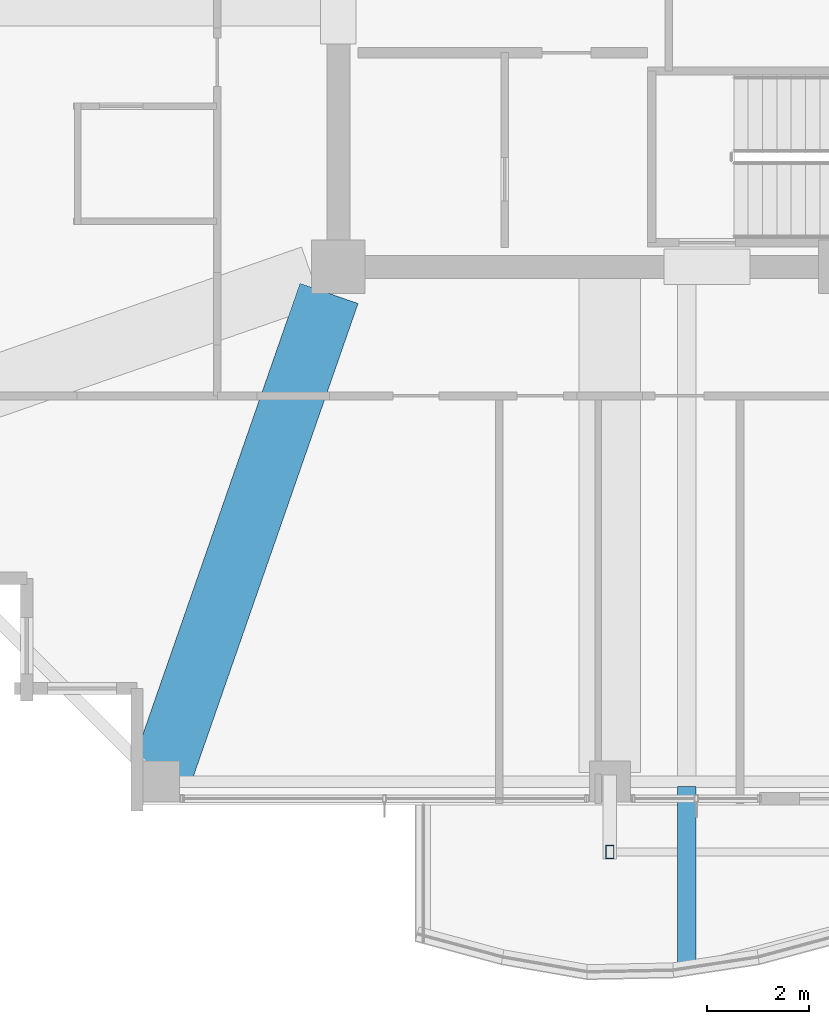
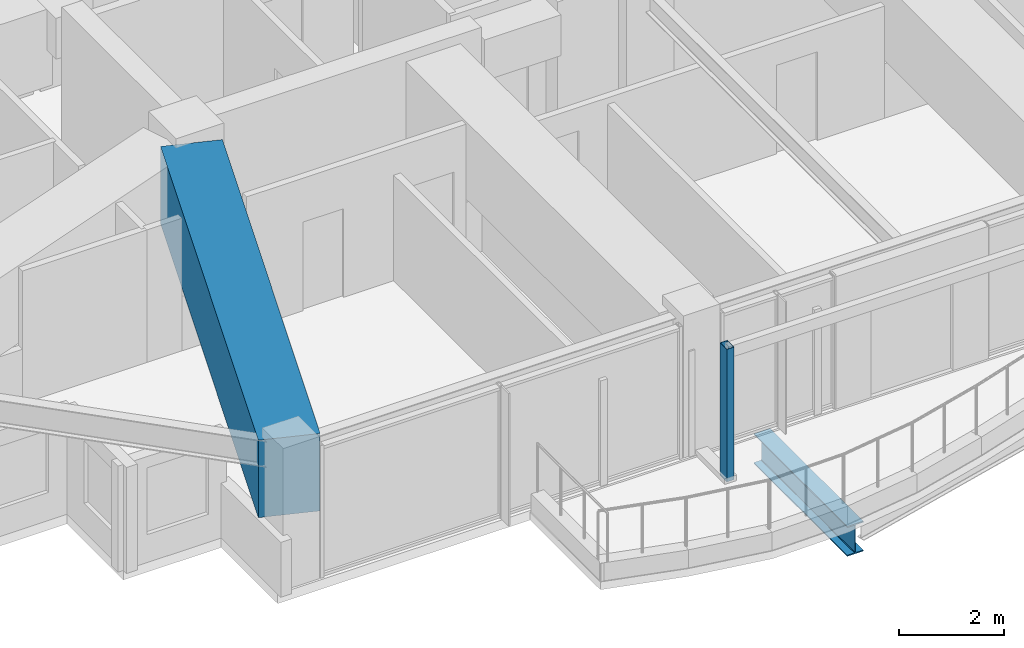
# One storey, part 4 of 37: 2 beams, 1 member.
"""IFC4 building model written with IfcOpenShell, lengths in metres."""

from ifc_helpers import new_model, si_unit, direction, frame, origin, origin_2d, place, context, subcontext, project, spatial, rectangle, hollow_rectangle, i_section, extrude, material, material_profile, profile_set, type_object, element, save


model = new_model("IFC4")

# Units and contexts
model_context = context("Model", 3, precision=1e-05, world=origin(), true_north=direction((0.0, 1.0)))
body_context = subcontext(model_context, "Body", "Model", "MODEL_VIEW")
ifc_project = project(units=[si_unit("LENGTHUNIT", "METRE"), si_unit("AREAUNIT", "SQUARE_METRE"), si_unit("VOLUMEUNIT", "CUBIC_METRE"), si_unit("PLANEANGLEUNIT", "RADIAN"), si_unit("MASSUNIT", "GRAM", prefix="KILO")], contexts=[model_context])

# Site, building, storey
site_placement = place(None, origin())
site = spatial("IfcSite", under=ifc_project, at=site_placement, CompositionType="ELEMENT")
building_placement = place(site_placement, origin())
building = spatial("IfcBuilding", under=site, at=building_placement, Name="Kolvaren Belvedere", CompositionType="ELEMENT")
storey_placement = place(building_placement, frame((0.0, 0.0, 219.60009765625)))
storey = spatial("IfcBuildingStorey", under=building, at=storey_placement, Name="L64", CompositionType="ELEMENT", Elevation=219.60009765625)

# Beams
ifc_material_1 = material(Name="Structural steel ASTM A992 Grade 50", Category="steel")
ifc_material_profile_1 = material_profile(ifc_material_1, i_section(OverallWidth=0.35498046875, OverallDepth=0.696044921875, WebThickness=0.015380859375, FlangeThickness=0.02490234375, FilletRadius=0.02197265625, at=origin_2d()), Name="W27X146")
ifc_profile_set_1 = profile_set([ifc_material_profile_1], Name="Structural steel ASTM A992 Grade 50")
beam_type_1 = type_object("IfcBeamType", Name="BM-CANT-BAL", PredefinedType="BEAM", material=ifc_profile_set_1)
beam_1_placement = place(storey_placement, frame((-3.10009765625, -20.044921875, -0.568115234375), z_axis=(0.0, -1.0, 0.0), x_axis=(1.0, 0.0, 0.0)))
element("IfcBeam", 1, at=beam_1_placement, inside=storey, type_object=beam_type_1, Name="L64 Planted Balcony Cantilever BAL-S-1", PredefinedType="BEAM", context=body_context, shape_type="SweptSolid", body=[
    extrude(i_section(OverallWidth=0.35498046875, OverallDepth=0.696044921875, WebThickness=0.015380859375, FlangeThickness=0.02490234375, FilletRadius=0.02197265625, at=origin_2d()), origin(), (0.0, 0.0, 1.0), 3.56103515625),
])
ifc_material_2 = material(Name="Concrete C50/60", Category="concrete")
ifc_material_profile_2 = material_profile(ifc_material_2, rectangle(XDim=1.199951171875, YDim=1.800048828125, at=origin_2d()), Name="RC 1200X1800")
ifc_profile_set_2 = profile_set([ifc_material_profile_2], Name="Concrete C50/60")
beam_type_2 = type_object("IfcBeamType", Name="BM-TG-1800", PredefinedType="BEAM", material=ifc_profile_set_2)
beam_2_placement = place(storey_placement, frame((-10.080810546875, -10.41943359375, 2.179931640625), z_axis=(-0.328898147971, -0.944365399758, 0.0), x_axis=(0.944365399758, -0.328898147971, 0.0)))
element("IfcBeam", 2, at=beam_2_placement, inside=storey, type_object=beam_type_2, Name="L64 Corner Core-to-Perimeter Girder CC1-S1", PredefinedType="BEAM", context=body_context, shape_type="SweptSolid", body=[
    extrude(rectangle(XDim=1.199951171875, YDim=1.800048828125, at=origin_2d()), origin(), (0.0, 0.0, 1.0), 9.931884765625),
])

# Member
ifc_material_3 = material(Name="Anodised pale-metal aluminium AA 6063-T6", Category="aluminium")
ifc_material_profile_3 = material_profile(ifc_material_3, hollow_rectangle(XDim=0.159912109375, YDim=0.260009765625, WallThickness=0.006591796875, at=origin_2d()), Name="ALU-PF-260X160")
ifc_profile_set_3 = profile_set([ifc_material_profile_3], Name="Anodised pale-metal aluminium AA 6063-T6")
member_type = type_object("IfcMemberType", Name="PF-FRAME-260", PredefinedType="USERDEFINED", material=ifc_profile_set_3)
member_placement = place(storey_placement, frame((-4.60009765625, -21.320068359375, 0.0), z_axis=(0.0, 0.0, 1.0), x_axis=(1.0, 0.0, 0.0)))
element("IfcMember", 3, at=member_placement, inside=storey, type_object=member_type, Name="L64 Outboard Picture-Frame Vertical S2", ObjectType="PICTURE FRAME FIN", PredefinedType="USERDEFINED", context=body_context, shape_type="SweptSolid", body=[
    extrude(hollow_rectangle(XDim=0.159912109375, YDim=0.260009765625, WallThickness=0.006591796875, at=origin_2d()), origin(), (0.0, 0.0, 1.0), 3.079833984375),
])

save(model, "model.ifc")
